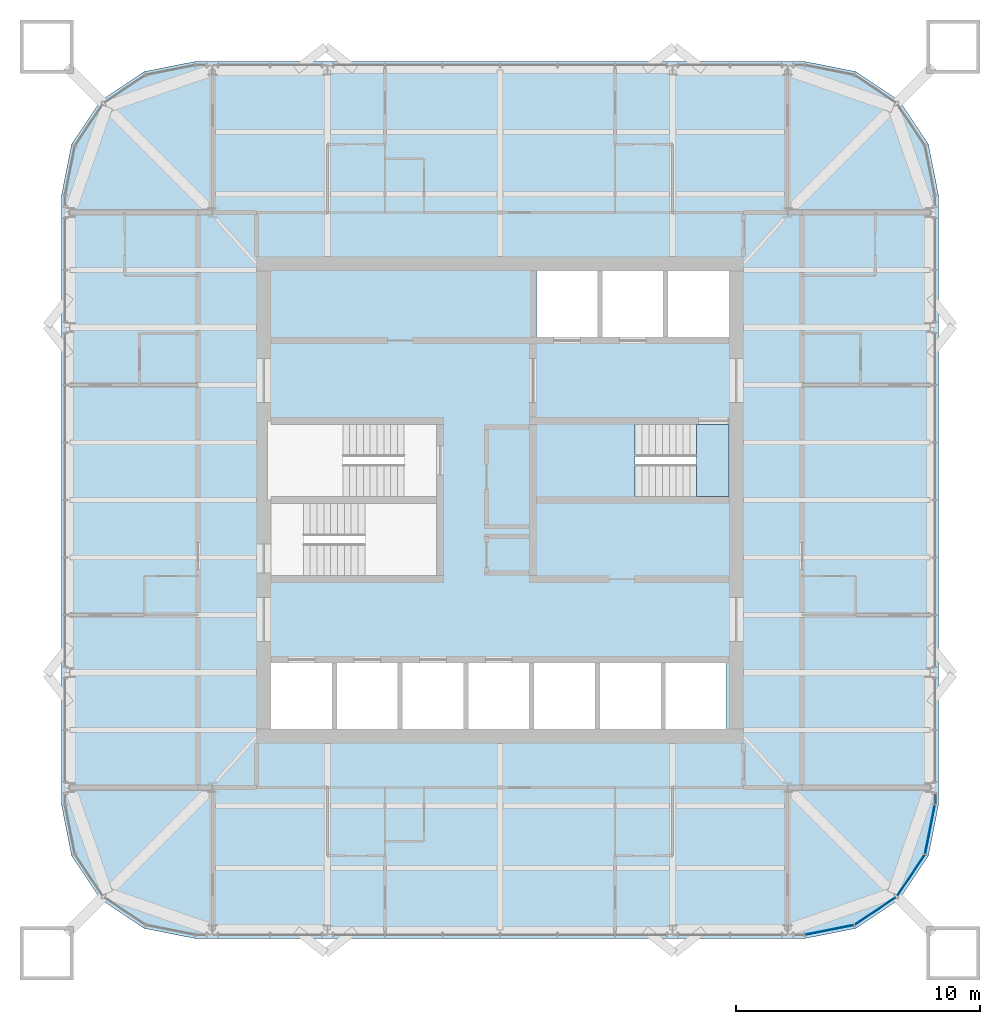
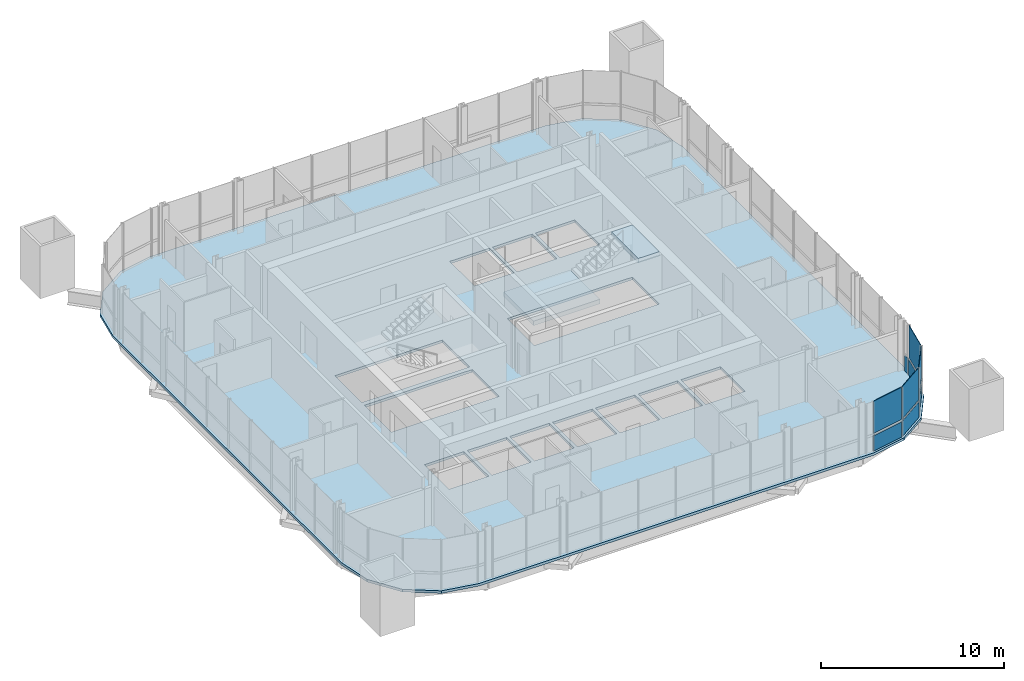
# One storey, part 10 of 17: 9 plates, 3 slabs, 3 elements without a shape of their own.
"""IFC4 building model written with IfcOpenShell, lengths in metres."""

from ifc_helpers import new_model, si_unit, direction, frame, origin, origin_2d, place, context, subcontext, project, spatial, polyline, rectangle, outline, extrude, material, layer, layer_set, type_object, element, aggregate, save


model = new_model("IFC4")

# Units and contexts
model_context = context("Model", 3, precision=1e-05, world=origin(), true_north=direction((0.0, 1.0)))
body_context = subcontext(model_context, "Body", "Model", "MODEL_VIEW")
ifc_project = project(units=[si_unit("LENGTHUNIT", "METRE"), si_unit("AREAUNIT", "SQUARE_METRE"), si_unit("VOLUMEUNIT", "CUBIC_METRE"), si_unit("PLANEANGLEUNIT", "RADIAN"), si_unit("MASSUNIT", "GRAM", prefix="KILO")], contexts=[model_context])

# Site, building, storey
site_placement = place(None, origin())
site = spatial("IfcSite", under=ifc_project, at=site_placement, CompositionType="ELEMENT")
building_placement = place(site_placement, origin())
building = spatial("IfcBuilding", under=site, at=building_placement, Name="Turquesa Mirador Hotel Tower", CompositionType="ELEMENT")
storey_placement = place(building_placement, frame((0.0, 0.0, 258.199951171875)))
storey = spatial("IfcBuildingStorey", under=building, at=storey_placement, Name="L70", CompositionType="ELEMENT", Elevation=258.199951171875)

# Slab
ifc_material_1 = material(Name="Concrete C28/35", Category="concrete")
ifc_layer_1 = layer(ifc_material_1, 0.169921875)
ifc_layer_set_1 = layer_set([ifc_layer_1], Name="COMPOSITE FLOOR SLAB 170")
slab_type_1 = type_object("IfcSlabType", Name="COMPOSITE FLOOR SLAB 170", PredefinedType="FLOOR", material=ifc_layer_set_1)
slab_1_placement = place(storey_placement, frame((0.0, 0.0, -0.169921875)))
element("IfcSlab", 1, at=slab_1_placement, inside=storey, type_object=slab_type_1, Name="Floor slab L70", PredefinedType="FLOOR", context=body_context, shape_type="SweptSolid", body=[
    extrude(outline(polyline([(67.5, 27.0), (69.604736328125, 27.418701171875), (71.38916015625, 28.61083984375), (72.581298828125, 30.395263671875), (73.0, 32.5), (73.0, 57.5), (72.581298828125, 59.604736328125), (71.38916015625, 61.38916015625), (69.604736328125, 62.581298828125), (67.5, 63.0), (42.5, 63.0), (40.395263671875, 62.581298828125), (38.61083984375, 61.38916015625), (37.418701171875, 59.604736328125), (37.0, 57.5), (37.0, 32.5), (37.418701171875, 30.395263671875), (38.61083984375, 28.61083984375), (40.395263671875, 27.418701171875), (42.5, 27.0), (67.5, 27.0)]), holes=[polyline([(56.5, 51.699951171875), (59.0, 51.699951171875), (59.0, 54.39990234375), (56.5, 54.39990234375), (56.5, 51.699951171875)]), polyline([(59.199951171875, 51.699951171875), (61.699951171875, 51.699951171875), (61.699951171875, 54.39990234375), (59.199951171875, 54.39990234375), (59.199951171875, 51.699951171875)]), polyline([(45.60009765625, 35.60009765625), (48.10009765625, 35.60009765625), (48.10009765625, 38.300048828125), (45.60009765625, 38.300048828125), (45.60009765625, 35.60009765625)]), polyline([(48.300048828125, 35.60009765625), (50.800048828125, 35.60009765625), (50.800048828125, 38.300048828125), (48.300048828125, 38.300048828125), (48.300048828125, 35.60009765625)]), polyline([(51.0, 35.60009765625), (53.5, 35.60009765625), (53.5, 38.300048828125), (51.0, 38.300048828125), (51.0, 35.60009765625)]), polyline([(53.699951171875, 35.60009765625), (56.199951171875, 35.60009765625), (56.199951171875, 38.300048828125), (53.699951171875, 38.300048828125), (53.699951171875, 35.60009765625)]), polyline([(56.39990234375, 35.60009765625), (58.89990234375, 35.60009765625), (58.89990234375, 38.300048828125), (56.39990234375, 38.300048828125), (56.39990234375, 35.60009765625)]), polyline([(59.10009765625, 35.60009765625), (61.60009765625, 35.60009765625), (61.60009765625, 38.300048828125), (59.10009765625, 38.300048828125), (59.10009765625, 35.60009765625)]), polyline([(61.800048828125, 35.60009765625), (64.300048828125, 35.60009765625), (64.300048828125, 38.300048828125), (61.800048828125, 38.300048828125), (61.800048828125, 35.60009765625)]), polyline([(45.60009765625, 45.14990234375), (52.39990234375, 45.14990234375), (52.39990234375, 48.10009765625), (45.60009765625, 48.10009765625), (45.60009765625, 45.14990234375)]), polyline([(45.60009765625, 41.89990234375), (52.39990234375, 41.89990234375), (52.39990234375, 44.85009765625), (45.60009765625, 44.85009765625), (45.60009765625, 41.89990234375)]), polyline([(56.5, 45.14990234375), (64.39990234375, 45.14990234375), (64.39990234375, 48.10009765625), (56.5, 48.10009765625), (56.5, 45.14990234375)]), polyline([(61.89990234375, 51.699951171875), (64.39990234375, 51.699951171875), (64.39990234375, 54.39990234375), (61.89990234375, 54.39990234375), (61.89990234375, 51.699951171875)])]), origin(), (0.0, 0.0, 1.0), 0.169921875),
])

# Curtain wall, plates
ifc_material_2 = material(Name="Aluminium extrusion", Category="aluminium")
curtain_wall_type = type_object("IfcCurtainWallType", Name="CW-4 SUITE FRITTED CURTAIN WALL", PredefinedType="USERDEFINED", material=ifc_material_2)
curtain_wall_1_placement = place(storey_placement, origin())
curtain_wall_1 = element("IfcCurtainWall", 2, at=curtain_wall_1_placement, inside=storey, type_object=curtain_wall_type, Name="CW-4 SUITE FRITTED CURTAIN WALL L70", ObjectType="CURTAIN WALL", PredefinedType="USERDEFINED")
ifc_material_3 = material(Name="Ceramic-printed spandrel glass on an insulated back pan", Category="glass")
ifc_layer_2 = layer(ifc_material_3, 0.050048828125)
ifc_layer_set_2 = layer_set([ifc_layer_2], Name="CW PANEL SPANDREL CERAMIC")
plate_type_1 = type_object("IfcPlateType", Name="CW PANEL SPANDREL CERAMIC", PredefinedType="CURTAIN_PANEL", material=ifc_layer_set_2)
plate_1_placement = place(storey_placement, frame((68.523681640625, 27.353515625, 0.0), z_axis=(0.0, 0.0, 1.0), x_axis=(0.980785228048, 0.195090585221, 0.0)))
plate_1 = element("IfcPlate", 3, at=plate_1_placement, type_object=plate_type_1, Name="Panel", PredefinedType="CURTAIN_PANEL", context=body_context, shape_type="SweptSolid", body=[
    extrude(rectangle(XDim=2.0224609375, YDim=0.050048828125, at=origin_2d()), origin(), (0.0, 0.0, 1.0), 1.02490234375),
])
plate_2_placement = place(storey_placement, frame((70.415283203125, 28.13720703125, 0.0), z_axis=(0.0, 0.0, 1.0), x_axis=(0.831469673284, 0.555570141754, 0.0)))
plate_2 = element("IfcPlate", 4, at=plate_2_placement, type_object=plate_type_1, Name="Panel", PredefinedType="CURTAIN_PANEL", context=body_context, shape_type="SweptSolid", body=[
    extrude(rectangle(XDim=2.0224609375, YDim=0.050048828125, at=origin_2d()), origin(), (0.0, 0.0, 1.0), 1.02490234375),
])
plate_3_placement = place(storey_placement, frame((71.86279296875, 29.584716796875, 0.0), z_axis=(0.0, 0.0, 1.0), x_axis=(0.555570141754, 0.831469673284, 0.0)))
plate_3 = element("IfcPlate", 5, at=plate_3_placement, type_object=plate_type_1, Name="Panel", PredefinedType="CURTAIN_PANEL", context=body_context, shape_type="SweptSolid", body=[
    extrude(rectangle(XDim=2.0224609375, YDim=0.050048828125, at=origin_2d()), origin(), (0.0, 0.0, 1.0), 1.02490234375),
])
plate_4_placement = place(storey_placement, frame((72.646484375, 31.476318359375, 0.0), z_axis=(0.0, 0.0, 1.0), x_axis=(0.195090585221, 0.980785228048, 0.0)))
plate_4 = element("IfcPlate", 6, at=plate_4_placement, type_object=plate_type_1, Name="Panel", PredefinedType="CURTAIN_PANEL", context=body_context, shape_type="SweptSolid", body=[
    extrude(rectangle(XDim=2.0224609375, YDim=0.050048828125, at=origin_2d()), origin(), (0.0, 0.0, 1.0), 1.02490234375),
])

# Curtain wall, plate
curtain_wall_2_placement = place(storey_placement, origin())
curtain_wall_2 = element("IfcCurtainWall", 7, at=curtain_wall_2_placement, inside=storey, type_object=curtain_wall_type, Name="CW-4 SUITE FRITTED CURTAIN WALL L70", ObjectType="CURTAIN WALL", PredefinedType="USERDEFINED")
plate_5_placement = place(storey_placement, frame((72.85009765625, 32.733154296875, 0.0), z_axis=(0.0, 0.0, 1.0), x_axis=(0.0, 1.0, 0.0)))
plate_5 = element("IfcPlate", 8, at=plate_5_placement, type_object=plate_type_1, Name="Panel", PredefinedType="CURTAIN_PANEL", context=body_context, shape_type="SweptSolid", body=[
    extrude(rectangle(XDim=0.401123046875, YDim=0.050048828125, at=origin_2d()), origin(), (0.0, 0.0, 1.0), 1.02490234375),
])
aggregate(curtain_wall_2, [plate_5])

# Plate
ifc_material_4 = material(Name="Ceramic-fritted laminated glass", Category="glass")
ifc_layer_3 = layer(ifc_material_4, 0.031982421875)
ifc_layer_set_3 = layer_set([ifc_layer_3], Name="CW PANEL VISION FRITTED")
plate_type_2 = type_object("IfcPlateType", Name="CW PANEL VISION FRITTED", PredefinedType="CURTAIN_PANEL", material=ifc_layer_set_3)
plate_6_placement = place(storey_placement, frame((68.523681640625, 27.353515625, 1.1748046875), z_axis=(0.0, 0.0, 1.0), x_axis=(0.980785228048, 0.195090585221, 0.0)))
plate_6 = element("IfcPlate", 9, at=plate_6_placement, type_object=plate_type_2, Name="Panel", PredefinedType="CURTAIN_PANEL", context=body_context, shape_type="SweptSolid", body=[
    extrude(rectangle(XDim=2.0224609375, YDim=0.031982421875, at=origin_2d()), origin(), (0.0, 0.0, 1.0), 2.155029296875),
])

plate_7_placement = place(storey_placement, frame((70.415283203125, 28.13720703125, 1.1748046875), z_axis=(0.0, 0.0, 1.0), x_axis=(0.831469673284, 0.555570141754, 0.0)))
plate_7 = element("IfcPlate", 10, at=plate_7_placement, type_object=plate_type_2, Name="Panel", PredefinedType="CURTAIN_PANEL", context=body_context, shape_type="SweptSolid", body=[
    extrude(rectangle(XDim=2.0224609375, YDim=0.031982421875, at=origin_2d()), origin(), (0.0, 0.0, 1.0), 2.155029296875),
])

plate_8_placement = place(storey_placement, frame((71.86279296875, 29.584716796875, 1.1748046875), z_axis=(0.0, 0.0, 1.0), x_axis=(0.555570141754, 0.831469673284, 0.0)))
plate_8 = element("IfcPlate", 11, at=plate_8_placement, type_object=plate_type_2, Name="Panel", PredefinedType="CURTAIN_PANEL", context=body_context, shape_type="SweptSolid", body=[
    extrude(rectangle(XDim=2.0224609375, YDim=0.031982421875, at=origin_2d()), origin(), (0.0, 0.0, 1.0), 2.155029296875),
])

plate_9_placement = place(storey_placement, frame((72.646484375, 31.476318359375, 1.1748046875), z_axis=(0.0, 0.0, 1.0), x_axis=(0.195090585221, 0.980785228048, 0.0)))
plate_9 = element("IfcPlate", 12, at=plate_9_placement, type_object=plate_type_2, Name="Panel", PredefinedType="CURTAIN_PANEL", context=body_context, shape_type="SweptSolid", body=[
    extrude(rectangle(XDim=2.0224609375, YDim=0.031982421875, at=origin_2d()), origin(), (0.0, 0.0, 1.0), 2.155029296875),
])

aggregate(curtain_wall_1, [plate_1, plate_6, plate_2, plate_7, plate_3, plate_8, plate_4, plate_9])

# Stair, slabs
ifc_material_5 = material(Name="Concrete C35/45", Category="concrete")
stair_type = type_object("IfcStairType", Name="ESCAPE STAIR CORE", PredefinedType="HALF_TURN_STAIR", material=ifc_material_5)
stair_placement = place(storey_placement, origin())
stair = element("IfcStair", 13, at=stair_placement, inside=storey, type_object=stair_type, Name="Stair ST3 L70 to L71", PredefinedType="HALF_TURN_STAIR")
ifc_material_6 = material(Name="Concrete C35/45", Category="concrete")
ifc_layer_4 = layer(ifc_material_6, 0.300048828125)
ifc_layer_set_4 = layer_set([ifc_layer_4], Name="STAIR LANDING 300")
slab_type_2 = type_object("IfcSlabType", Name="STAIR LANDING 300", PredefinedType="LANDING", material=ifc_layer_set_4)
slab_2_placement = place(storey_placement, frame((0.0, 0.0, 1.449951171875)))
slab_2 = element("IfcSlab", 14, at=slab_2_placement, type_object=slab_type_2, Name="ST3 landing 1", PredefinedType="LANDING", context=body_context, shape_type="SweptSolid", body=[
    extrude(outline(polyline([(56.35009765625, 45.0), (60.550048828125, 45.0), (60.550048828125, 48.25), (56.35009765625, 48.25), (56.35009765625, 45.0)])), origin(), (0.0, 0.0, 1.0), 0.300048828125),
])
slab_3_placement = place(storey_placement, frame((0.0, 0.0, 3.199951171875)))
slab_3 = element("IfcSlab", 15, at=slab_3_placement, type_object=slab_type_2, Name="ST3 landing 2", PredefinedType="LANDING", context=body_context, shape_type="SweptSolid", body=[
    extrude(outline(polyline([(63.070068359375, 45.14990234375), (64.39990234375, 45.14990234375), (64.39990234375, 48.10009765625), (63.070068359375, 48.10009765625), (63.070068359375, 45.14990234375)])), origin(), (0.0, 0.0, 1.0), 0.300048828125),
])
aggregate(stair, [slab_2, slab_3])

save(model, "model.ifc")
